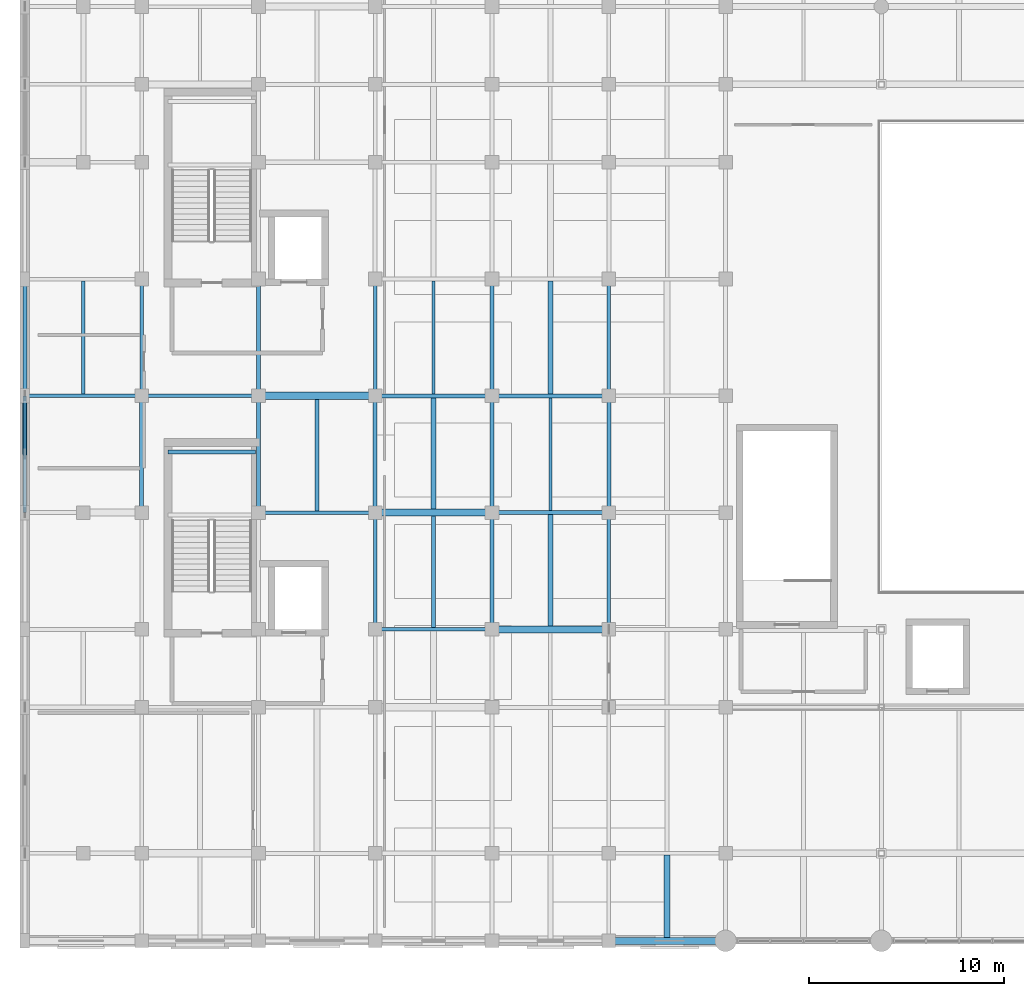
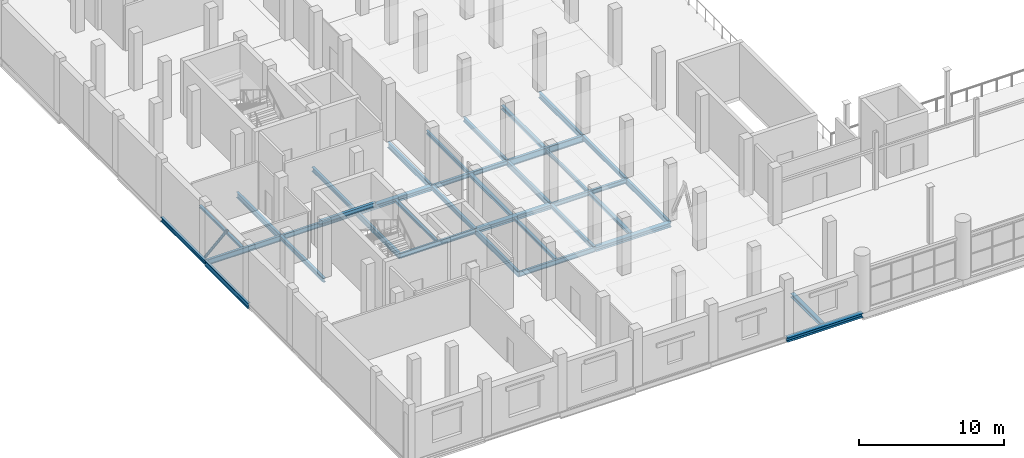
# One storey, part 13 of 114: 36 beams, 1 member.
"""IFC4 building model written with IfcOpenShell, lengths in metres."""

from ifc_helpers import new_model, si_unit, direction, frame, origin, origin_2d, place, context, subcontext, project, spatial, hollow_circle, i_section, extrude, material, material_profile, profile_set, type_object, element, save


model = new_model("IFC4")

# Units and contexts
model_context = context("Model", 3, precision=1e-05, world=origin(), true_north=direction((0.0, 1.0)))
body_context = subcontext(model_context, "Body", "Model", "MODEL_VIEW")
ifc_project = project(units=[si_unit("LENGTHUNIT", "METRE"), si_unit("AREAUNIT", "SQUARE_METRE"), si_unit("VOLUMEUNIT", "CUBIC_METRE"), si_unit("PLANEANGLEUNIT", "RADIAN"), si_unit("MASSUNIT", "GRAM", prefix="KILO")], contexts=[model_context])

# Site, building, storey
site_placement = place(None, origin())
site = spatial("IfcSite", under=ifc_project, at=site_placement, CompositionType="ELEMENT")
building_placement = place(site_placement, origin())
building = spatial("IfcBuilding", under=site, at=building_placement, Name="Verrall Gate Interchange", CompositionType="ELEMENT")
storey_placement = place(building_placement, frame((0.0, 0.0, 6.60009765625)))
storey = spatial("IfcBuildingStorey", under=building, at=storey_placement, Name="L02", CompositionType="ELEMENT", Elevation=6.60009765625)

# Beams
ifc_material_1 = material(Name="Structural Steel CSA G40.21 350W", Category="steel")
ifc_material_profile_1 = material_profile(ifc_material_1, i_section(OverallWidth=0.2109375, OverallDepth=0.5390625, WebThickness=0.01171875, FlangeThickness=0.018798828125, FilletRadius=0.013916015625, at=origin_2d()), Name="W530x109")
ifc_profile_set_1 = profile_set([ifc_material_profile_1], Name="Structural Steel CSA G40.21 350W")
beam_type_1 = type_object("IfcBeamType", Name="B-10 Structural Beam W530x109", PredefinedType="BEAM", material=ifc_profile_set_1)
beam_1_placement = place(storey_placement, frame((24.0, 28.0, -0.549560546875), z_axis=(1.0, 0.0, 0.0), x_axis=(0.0, 1.0, 0.0)))
element("IfcBeam", 1, at=beam_1_placement, inside=storey, type_object=beam_type_1, Name="L02 Girder BM-L02-1519 (B-10)", PredefinedType="BEAM", context=body_context, shape_type="SweptSolid", body=[
    extrude(i_section(OverallWidth=0.2109375, OverallDepth=0.5390625, WebThickness=0.01171875, FlangeThickness=0.018798828125, FilletRadius=0.013916015625, at=origin_2d()), origin(), (0.0, 0.0, 1.0), 6.0),
])
ifc_material_2 = material(Name="Structural Steel CSA G40.21 350W", Category="steel")
ifc_material_profile_2 = material_profile(ifc_material_2, i_section(OverallWidth=0.19189453125, OverallDepth=0.462890625, WebThickness=0.010498046875, FlangeThickness=0.017578125, FilletRadius=0.012939453125, at=origin_2d()), Name="W460x89")
ifc_profile_set_2 = profile_set([ifc_material_profile_2], Name="Structural Steel CSA G40.21 350W")
beam_type_2 = type_object("IfcBeamType", Name="B-11 Structural Beam W460x89", PredefinedType="BEAM", material=ifc_profile_set_2)
for number, where, z_axis, x_axis, name in (
    (2, (0.0, 28.0, -0.51171875), (1.0, 0.0, 0.0), (0.0, 1.0, 0.0), "L02 Girder BM-L02-1515 (B-11)"),
    (3, (0.0, 22.0, -0.51171875), (0.0, 1.0, 0.0), (-1.0, 0.0, 0.0), "L02 Girder BM-L02-1637 (B-11)"),
    (4, (6.0, 28.0, -0.51171875), (0.0, 1.0, 0.0), (-1.0, 0.0, 0.0), "L02 Girder BM-L02-1653 (B-11)"),
    (5, (12.0, 22.0, -0.51171875), (0.0, 1.0, 0.0), (-1.0, 0.0, 0.0), "L02 Girder BM-L02-1666 (B-11)"),
    (6, (18.0, 16.0, -0.51171875), (0.0, 1.0, 0.0), (-1.0, 0.0, 0.0), "L02 Girder BM-L02-1679 (B-11)"),
    (7, (18.0, 28.0, -0.51171875), (0.0, 1.0, 0.0), (-1.0, 0.0, 0.0), "L02 Girder BM-L02-1681 (B-11)"),
    (8, (24.0, 22.0, -0.51171875), (0.0, 1.0, 0.0), (-1.0, 0.0, 0.0), "L02 Girder BM-L02-1694 (B-11)"),
    (9, (30.0, 16.0, -0.51171875), (0.0, 1.0, 0.0), (-1.0, 0.0, 0.0), "L02 Girder BM-L02-1707 (B-11)"),
    (10, (30.0, 28.0, -0.51171875), (0.0, 1.0, 0.0), (-1.0, 0.0, 0.0), "L02 Girder BM-L02-1709 (B-11)"),
):
    element("IfcBeam", number, at=place(storey_placement, frame(where, z_axis=z_axis, x_axis=x_axis)), inside=storey, type_object=beam_type_2, Name=name, PredefinedType="BEAM", context=body_context, shape_type="SweptSolid", body=[
        extrude(i_section(OverallWidth=0.19189453125, OverallDepth=0.462890625, WebThickness=0.010498046875, FlangeThickness=0.017578125, FilletRadius=0.012939453125, at=origin_2d()), origin(), (0.0, 0.0, 1.0), 6.0),
    ])
ifc_material_3 = material(Name="Structural Steel CSA G40.21 350W", Category="steel")
ifc_material_profile_3 = material_profile(ifc_material_3, i_section(OverallWidth=0.178955078125, OverallDepth=0.409912109375, WebThickness=0.0087890625, FlangeThickness=0.014404296875, FilletRadius=0.011962890625, at=origin_2d()), Name="W410x67")
ifc_profile_set_3 = profile_set([ifc_material_profile_3], Name="Structural Steel CSA G40.21 350W")
beam_type_3 = type_object("IfcBeamType", Name="B-12 Structural Beam W410x67", PredefinedType="BEAM", material=ifc_profile_set_3)
for number, where, z_axis, x_axis, name in (
    (11, (18.0, 16.0, -0.485107421875), (1.0, 0.0, 0.0), (0.0, 1.0, 0.0), "L02 Girder BM-L02-1488 (B-12)"),
    (12, (12.0, 22.0, -0.485107421875), (1.0, 0.0, 0.0), (0.0, 1.0, 0.0), "L02 Girder BM-L02-1506 (B-12)"),
    (13, (6.0, 28.0, -0.485107421875), (1.0, 0.0, 0.0), (0.0, 1.0, 0.0), "L02 Girder BM-L02-1516 (B-12)"),
):
    element("IfcBeam", number, at=place(storey_placement, frame(where, z_axis=z_axis, x_axis=x_axis)), inside=storey, type_object=beam_type_3, Name=name, PredefinedType="BEAM", context=body_context, shape_type="SweptSolid", body=[
        extrude(i_section(OverallWidth=0.178955078125, OverallDepth=0.409912109375, WebThickness=0.0087890625, FlangeThickness=0.014404296875, FilletRadius=0.011962890625, at=origin_2d()), origin(), (0.0, 0.0, 1.0), 6.0),
    ])
ifc_material_4 = material(Name="Structural Steel CSA G40.21 350W", Category="steel")
ifc_material_profile_4 = material_profile(ifc_material_4, i_section(OverallWidth=0.368896484375, OverallDepth=0.35595703125, WebThickness=0.01123046875, FlangeThickness=0.01806640625, FilletRadius=0.014892578125, at=origin_2d()), Name="W360x134")
ifc_profile_set_4 = profile_set([ifc_material_profile_4], Name="Structural Steel CSA G40.21 350W")
beam_type_4 = type_object("IfcBeamType", Name="B-13 Structural Beam W360x134", PredefinedType="BEAM", material=ifc_profile_set_4)
for number, where, z_axis, x_axis, name in (
    (14, (30.0, 0.0, -0.4580078125), (1.0, 0.0, 0.0), (0.0, 1.0, 0.0), "L02 Girder BM-L02-1440 (B-13)"),
    (15, (24.0, 16.0, -0.4580078125), (1.0, 0.0, 0.0), (0.0, 1.0, 0.0), "L02 Girder BM-L02-1489 (B-13)"),
    (16, (18.0, 22.0, -0.4580078125), (1.0, 0.0, 0.0), (0.0, 1.0, 0.0), "L02 Girder BM-L02-1507 (B-13)"),
    (17, (12.0, 28.0, -0.4580078125), (1.0, 0.0, 0.0), (0.0, 1.0, 0.0), "L02 Girder BM-L02-1517 (B-13)"),
):
    element("IfcBeam", number, at=place(storey_placement, frame(where, z_axis=z_axis, x_axis=x_axis)), inside=storey, type_object=beam_type_4, Name=name, PredefinedType="BEAM", context=body_context, shape_type="SweptSolid", body=[
        extrude(i_section(OverallWidth=0.368896484375, OverallDepth=0.35595703125, WebThickness=0.01123046875, FlangeThickness=0.01806640625, FilletRadius=0.014892578125, at=origin_2d()), origin(), (0.0, 0.0, 1.0), 6.0),
    ])
ifc_material_5 = material(Name="Structural Steel CSA G40.21 350W", Category="steel")
ifc_material_profile_5 = material_profile(ifc_material_5, i_section(OverallWidth=0.205078125, OverallDepth=0.35400390625, WebThickness=0.009521484375, FlangeThickness=0.016845703125, FilletRadius=0.012939453125, at=origin_2d()), Name="W360x79")
ifc_profile_set_5 = profile_set([ifc_material_profile_5], Name="Structural Steel CSA G40.21 350W")
beam_type_5 = type_object("IfcBeamType", Name="B-14 Structural Beam W360x79", PredefinedType="BEAM", material=ifc_profile_set_5)
for number, where, z_axis, x_axis, name in (
    (18, (24.0, 22.0, -0.45703125), (1.0, 0.0, 0.0), (0.0, 1.0, 0.0), "L02 Girder BM-L02-1508 (B-14)"),
    (19, (18.0, 28.0, -0.45703125), (1.0, 0.0, 0.0), (0.0, 1.0, 0.0), "L02 Girder BM-L02-1518 (B-14)"),
    (20, (0.0, 28.0, -0.45703125), (0.0, 1.0, 0.0), (-1.0, 0.0, 0.0), "L02 Girder BM-L02-1638 (B-14)"),
    (21, (6.0, 22.0, -0.45703125), (0.0, 1.0, 0.0), (-1.0, 0.0, 0.0), "L02 Girder BM-L02-1652 (B-14)"),
    (22, (12.0, 28.0, -0.45703125), (0.0, 1.0, 0.0), (-1.0, 0.0, 0.0), "L02 Girder BM-L02-1667 (B-14)"),
    (23, (18.0, 22.0, -0.45703125), (0.0, 1.0, 0.0), (-1.0, 0.0, 0.0), "L02 Girder BM-L02-1680 (B-14)"),
    (24, (24.0, 16.0, -0.45703125), (0.0, 1.0, 0.0), (-1.0, 0.0, 0.0), "L02 Girder BM-L02-1693 (B-14)"),
    (25, (24.0, 28.0, -0.45703125), (0.0, 1.0, 0.0), (-1.0, 0.0, 0.0), "L02 Girder BM-L02-1695 (B-14)"),
    (26, (30.0, 22.0, -0.45703125), (0.0, 1.0, 0.0), (-1.0, 0.0, 0.0), "L02 Girder BM-L02-1708 (B-14)"),
):
    element("IfcBeam", number, at=place(storey_placement, frame(where, z_axis=z_axis, x_axis=x_axis)), inside=storey, type_object=beam_type_5, Name=name, PredefinedType="BEAM", context=body_context, shape_type="SweptSolid", body=[
        extrude(i_section(OverallWidth=0.205078125, OverallDepth=0.35400390625, WebThickness=0.009521484375, FlangeThickness=0.016845703125, FilletRadius=0.012939453125, at=origin_2d()), origin(), (0.0, 0.0, 1.0), 6.0),
    ])
beam_2_placement = place(storey_placement, frame((7.35009765625, 25.1201171875, 2.02978515625), z_axis=(1.0, 0.0, 0.0), x_axis=(0.0, 1.0, 0.0)))
element("IfcBeam", 27, at=beam_2_placement, inside=storey, type_object=beam_type_5, Name="L02 Core C1 Mid-Landing Beam 2", PredefinedType="BEAM", context=body_context, shape_type="SweptSolid", body=[
    extrude(i_section(OverallWidth=0.205078125, OverallDepth=0.35400390625, WebThickness=0.009521484375, FlangeThickness=0.016845703125, FilletRadius=0.012939453125, at=origin_2d()), origin(), (0.0, 0.0, 1.0), 4.5),
])

# Member
ifc_material_6 = material(Name="Structural Steel CSA G40.21 350W", Category="steel")
ifc_material_profile_6 = material_profile(ifc_material_6, hollow_circle(Radius=0.109619140625, WallThickness=0.008056640625, at=origin_2d()), Name="HSS219x8.0")
ifc_profile_set_6 = profile_set([ifc_material_profile_6], Name="Structural Steel CSA G40.21 350W")
member_type = type_object("IfcMemberType", Name="BR-02 Diagonal Brace HSS219x8.0", PredefinedType="BRACE", material=ifc_profile_set_6)
member_placement = place(storey_placement, frame((0.0, 28.0, 0.0), z_axis=(0.0, -0.598082546513, 0.801434506093), x_axis=(1.0, 0.0, 0.0)))
element("IfcMember", 28, at=member_placement, inside=storey, type_object=member_type, Name="Chevron Brace CBF2 L02 Leg B", PredefinedType="BRACE", context=body_context, shape_type="SweptSolid", body=[
    extrude(hollow_circle(Radius=0.109619140625, WallThickness=0.008056640625, at=origin_2d()), origin(), (0.0, 0.0, 1.0), 5.01611328125),
])

# Beams
ifc_material_7 = material(Name="Structural Steel CSA G40.21 350W", Category="steel")
ifc_material_profile_7 = material_profile(ifc_material_7, i_section(OverallWidth=0.306884765625, OverallDepth=0.31396484375, WebThickness=0.011962890625, FlangeThickness=0.018798828125, FilletRadius=0.013916015625, at=origin_2d()), Name="W310x118")
ifc_profile_set_7 = profile_set([ifc_material_profile_7], Name="Structural Steel CSA G40.21 350W")
beam_type_6 = type_object("IfcBeamType", Name="J-02 Floor Joist W310x118", PredefinedType="JOIST", material=ifc_profile_set_7)
beam_3_placement = place(storey_placement, frame((33.0, 0.1845703125, -0.43701171875), z_axis=(0.0, 1.0, 0.0), x_axis=(-1.0, 0.0, 0.0)))
element("IfcBeam", 29, at=beam_3_placement, inside=storey, type_object=beam_type_6, Name="L02 Secondary Floor Joist JST-L02-1843", PredefinedType="JOIST", context=body_context, shape_type="SweptSolid", body=[
    extrude(i_section(OverallWidth=0.306884765625, OverallDepth=0.31396484375, WebThickness=0.011962890625, FlangeThickness=0.018798828125, FilletRadius=0.013916015625, at=origin_2d()), origin(), (0.0, 0.0, 1.0), 4.225830078125),
])
ifc_material_8 = material(Name="Structural Steel CSA G40.21 350W", Category="steel")
ifc_material_profile_8 = material_profile(ifc_material_8, i_section(OverallWidth=0.25390625, OverallDepth=0.305908203125, WebThickness=0.0087890625, FlangeThickness=0.0146484375, FilletRadius=0.012939453125, at=origin_2d()), Name="W310x79")
ifc_profile_set_8 = profile_set([ifc_material_profile_8], Name="Structural Steel CSA G40.21 350W")
beam_type_7 = type_object("IfcBeamType", Name="J-03 Floor Joist W310x79", PredefinedType="JOIST", material=ifc_profile_set_8)
beam_4_placement = place(storey_placement, frame((27.0, 28.10546875, -0.43310546875), z_axis=(0.0, 1.0, 0.0), x_axis=(-1.0, 0.0, 0.0)))
element("IfcBeam", 30, at=beam_4_placement, inside=storey, type_object=beam_type_7, Name="L02 Secondary Floor Joist JST-L02-1902", PredefinedType="JOIST", context=body_context, shape_type="SweptSolid", body=[
    extrude(i_section(OverallWidth=0.25390625, OverallDepth=0.305908203125, WebThickness=0.0087890625, FlangeThickness=0.0146484375, FilletRadius=0.012939453125, at=origin_2d()), origin(), (0.0, 0.0, 1.0), 5.798583984375),
])
ifc_material_9 = material(Name="Structural Steel CSA G40.21 350W", Category="steel")
ifc_material_profile_9 = material_profile(ifc_material_9, i_section(OverallWidth=0.1650390625, OverallDepth=0.31005859375, WebThickness=0.005859375, FlangeThickness=0.009765625, FilletRadius=0.010009765625, at=origin_2d()), Name="W310x39")
ifc_profile_set_9 = profile_set([ifc_material_profile_9], Name="Structural Steel CSA G40.21 350W")
beam_type_8 = type_object("IfcBeamType", Name="J-04 Floor Joist W310x39", PredefinedType="JOIST", material=ifc_profile_set_9)
for number, where, z_axis, x_axis, name in (
    (31, (27.0, 22.1025390625, -0.43505859375), (0.0, 1.0, 0.0), (-1.0, 0.0, 0.0), "L02 Secondary Floor Joist JST-L02-1893"),
    (32, (21.0, 28.1025390625, -0.43505859375), (0.0, 1.0, 0.0), (-1.0, 0.0, 0.0), "L02 Secondary Floor Joist JST-L02-1901"),
):
    element("IfcBeam", number, at=place(storey_placement, frame(where, z_axis=z_axis, x_axis=x_axis)), inside=storey, type_object=beam_type_8, Name=name, PredefinedType="JOIST", context=body_context, shape_type="SweptSolid", body=[
        extrude(i_section(OverallWidth=0.1650390625, OverallDepth=0.31005859375, WebThickness=0.005859375, FlangeThickness=0.009765625, FilletRadius=0.010009765625, at=origin_2d()), origin(), (0.0, 0.0, 1.0), 5.7919921875),
    ])
ifc_material_10 = material(Name="Structural Steel CSA G40.21 350W", Category="steel")
ifc_material_profile_10 = material_profile(ifc_material_10, i_section(OverallWidth=0.25390625, OverallDepth=0.2529296875, WebThickness=0.008544921875, FlangeThickness=0.01416015625, FilletRadius=0.011962890625, at=origin_2d()), Name="W250x73")
ifc_profile_set_10 = profile_set([ifc_material_profile_10], Name="Structural Steel CSA G40.21 350W")
beam_type_9 = type_object("IfcBeamType", Name="J-05 Floor Joist W250x73", PredefinedType="JOIST", material=ifc_profile_set_10)
for number, where, z_axis, x_axis, name in (
    (33, (27.0, 16.1845703125, -0.406494140625), (0.0, 1.0, 0.0), (-1.0, 0.0, 0.0), "L02 Secondary Floor Joist JST-L02-1885"),
    (34, (21.0, 22.1845703125, -0.406494140625), (0.0, 1.0, 0.0), (-1.0, 0.0, 0.0), "L02 Secondary Floor Joist JST-L02-1892"),
):
    element("IfcBeam", number, at=place(storey_placement, frame(where, z_axis=z_axis, x_axis=x_axis)), inside=storey, type_object=beam_type_9, Name=name, PredefinedType="JOIST", context=body_context, shape_type="SweptSolid", body=[
        extrude(i_section(OverallWidth=0.25390625, OverallDepth=0.2529296875, WebThickness=0.008544921875, FlangeThickness=0.01416015625, FilletRadius=0.011962890625, at=origin_2d()), origin(), (0.0, 0.0, 1.0), 5.712890625),
    ])
ifc_material_11 = material(Name="Structural Steel CSA G40.21 350W", Category="steel")
ifc_material_profile_11 = material_profile(ifc_material_11, i_section(OverallWidth=0.201904296875, OverallDepth=0.2470703125, WebThickness=0.00732421875, FlangeThickness=0.010986328125, FilletRadius=0.010986328125, at=origin_2d()), Name="W250x49")
ifc_profile_set_11 = profile_set([ifc_material_profile_11], Name="Structural Steel CSA G40.21 350W")
beam_type_10 = type_object("IfcBeamType", Name="J-06 Floor Joist W250x49", PredefinedType="JOIST", material=ifc_profile_set_11)
for number, where, z_axis, x_axis, name in (
    (35, (21.0, 16.089599609375, -0.403564453125), (0.0, 1.0, 0.0), (-1.0, 0.0, 0.0), "L02 Secondary Floor Joist JST-L02-1884"),
    (36, (15.0, 22.089599609375, -0.403564453125), (0.0, 1.0, 0.0), (-1.0, 0.0, 0.0), "L02 Secondary Floor Joist JST-L02-1891"),
):
    element("IfcBeam", number, at=place(storey_placement, frame(where, z_axis=z_axis, x_axis=x_axis)), inside=storey, type_object=beam_type_10, Name=name, PredefinedType="JOIST", context=body_context, shape_type="SweptSolid", body=[
        extrude(i_section(OverallWidth=0.201904296875, OverallDepth=0.2470703125, WebThickness=0.00732421875, FlangeThickness=0.010986328125, FilletRadius=0.010986328125, at=origin_2d()), origin(), (0.0, 0.0, 1.0), 5.725830078125),
    ])
ifc_material_12 = material(Name="Structural Steel CSA G40.21 350W", Category="steel")
ifc_material_profile_12 = material_profile(ifc_material_12, i_section(OverallWidth=0.202880859375, OverallDepth=0.202880859375, WebThickness=0.007080078125, FlangeThickness=0.010986328125, FilletRadius=0.010009765625, at=origin_2d()), Name="W200x46")
ifc_profile_set_12 = profile_set([ifc_material_profile_12], Name="Structural Steel CSA G40.21 350W")
beam_type_11 = type_object("IfcBeamType", Name="J-07 Floor Joist W200x46", PredefinedType="JOIST", material=ifc_profile_set_12)
beam_5_placement = place(storey_placement, frame((3.0, 28.095947265625, -0.381591796875), z_axis=(0.0, 1.0, 0.0), x_axis=(-1.0, 0.0, 0.0)))
element("IfcBeam", 37, at=beam_5_placement, inside=storey, type_object=beam_type_11, Name="L02 Secondary Floor Joist JST-L02-1900", PredefinedType="JOIST", context=body_context, shape_type="SweptSolid", body=[
    extrude(i_section(OverallWidth=0.202880859375, OverallDepth=0.202880859375, WebThickness=0.007080078125, FlangeThickness=0.010986328125, FilletRadius=0.010009765625, at=origin_2d()), origin(), (0.0, 0.0, 1.0), 5.814453125),
])

save(model, "model.ifc")
